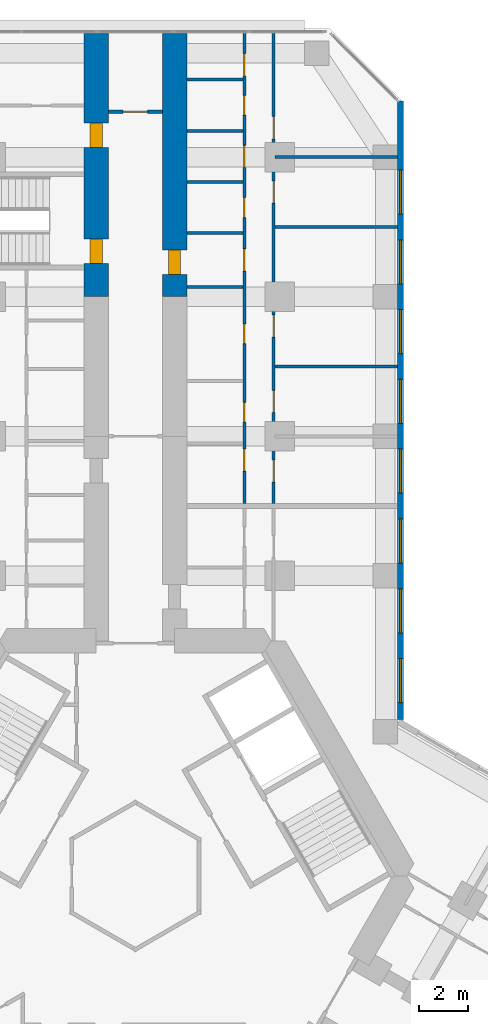
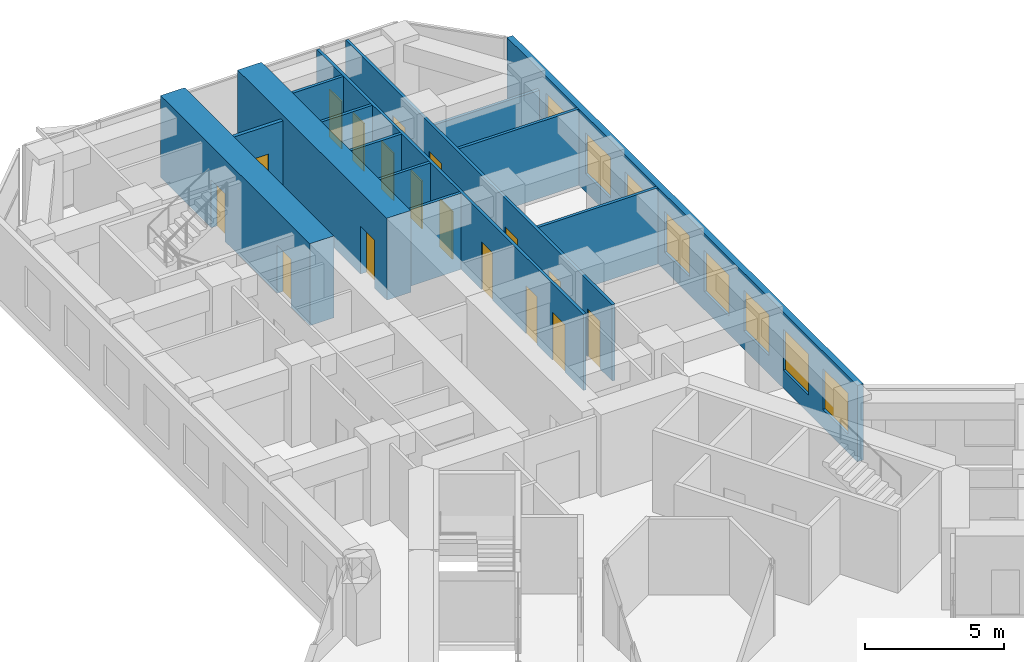
# One storey, part 19 of 21: 17 doors, 14 walls, 8 windows, 25 openings.
"""IFC4 building model written with IfcOpenShell, lengths in metres."""

from ifc_helpers import new_model, si_unit, direction, frame, frame_2d, origin, place, context, subcontext, project, spatial, rectangle, extrude, material, layer, layer_set, type_object, element, fill, save


model = new_model("IFC4")

# Units and contexts
model_context = context("Model", 3, precision=1e-05, world=origin(), true_north=direction((0.0, 1.0)))
body_context = subcontext(model_context, "Body", "Model", "MODEL_VIEW")
ifc_project = project(units=[si_unit("LENGTHUNIT", "METRE"), si_unit("AREAUNIT", "SQUARE_METRE"), si_unit("VOLUMEUNIT", "CUBIC_METRE"), si_unit("PLANEANGLEUNIT", "RADIAN"), si_unit("MASSUNIT", "GRAM", prefix="KILO")], contexts=[model_context])

# Site, building, storey
site_placement = place(None, origin())
site = spatial("IfcSite", under=ifc_project, at=site_placement, CompositionType="ELEMENT")
building_placement = place(site_placement, origin())
building = spatial("IfcBuilding", under=site, at=building_placement, Name="Kosmar Iwan School Tower", CompositionType="ELEMENT")
storey_placement = place(building_placement, frame((0.0, 0.0, 61.0)))
storey = spatial("IfcBuildingStorey", under=building, at=storey_placement, Name="L14", CompositionType="ELEMENT", Elevation=61.0)

# Wall, openings, doors
ifc_material_1 = material(Name="Concrete C50/60", Category="concrete")
ifc_layer_1 = layer(ifc_material_1, 1.0)
ifc_layer_set_1 = layer_set([ifc_layer_1], Name="Corridor buttress wall 1000")
wall_type_1 = type_object("IfcWallType", Name="Corridor buttress wall 1000", PredefinedType="SHEAR", material=ifc_layer_set_1)
wall_1_placement = place(storey_placement, frame((-1.60009765625, 23.64990234375, 0.0), z_axis=(0.0, 0.0, 1.0), x_axis=(0.0, 1.0, 0.0)))
wall_1 = element("IfcWall", 1, at=wall_1_placement, inside=storey, type_object=wall_type_1, Name="Corridor wall AL bay 3", PredefinedType="SHEAR", context=body_context, shape_type="SweptSolid", body=[
    extrude(rectangle(XDim=10.7451171875, YDim=1.0, at=frame_2d((5.37255859375, 0.0))), origin(), (0.0, 0.0, 1.0), 3.60009765625),
])
opening_1_placement = place(wall_1_placement, frame((6.10009765625, 0.0, 0.0)))
opening_1 = element("IfcOpeningElement", 2, at=opening_1_placement, cuts=wall_1, Name="Opening D1", PredefinedType="OPENING", context=body_context, shape_type="SweptSolid", body=[
    extrude(rectangle(XDim=1.0, YDim=2.10009765625, at=frame_2d((0.5, 1.050048828125))), frame((0.0, 0.511962890625, 0.0), z_axis=(0.0, -1.0, 0.0), x_axis=(1.0, 0.0, 0.0)), (0.0, 0.0, 1.0), 1.02392578125),
])
opening_2_placement = place(wall_1_placement, frame((1.35009765625, 0.0, 0.0)))
opening_2 = element("IfcOpeningElement", 3, at=opening_2_placement, cuts=wall_1, Name="Opening D6", PredefinedType="OPENING", context=body_context, shape_type="SweptSolid", body=[
    extrude(rectangle(XDim=1.0, YDim=2.10009765625, at=frame_2d((0.5, 1.050048828125))), frame((0.0, 0.511962890625, 0.0), z_axis=(0.0, -1.0, 0.0), x_axis=(1.0, 0.0, 0.0)), (0.0, 0.0, 1.0), 1.02392578125),
])
ifc_material_2 = material(Name="Timber fire door in steel frame", Category="steel")
door_type_1 = type_object("IfcDoorType", Name="Flat entrance door 1000x2100", OperationType="SINGLE_SWING_LEFT", PredefinedType="DOOR", material=ifc_material_2)
door_1_placement = place(opening_1_placement, origin())
door_1 = element("IfcDoor", 4, at=door_1_placement, inside=storey, type_object=door_type_1, Name="Flat L14-AL2 entrance door", OperationType="SINGLE_SWING_RIGHT", OverallHeight=2.10009765625, OverallWidth=1.0, PredefinedType="DOOR", context=body_context, shape_type="SweptSolid", body=[
    extrude(rectangle(XDim=1.0, YDim=2.10009765625, at=frame_2d((0.5, 1.050048828125))), frame((0.0, 0.25, 0.0), z_axis=(0.0, -1.0, 0.0), x_axis=(1.0, 0.0, 0.0)), (0.0, 0.0, 1.0), 0.5),
])
fill(opening_1, door_1)
ifc_material_3 = material(Name="Steel fire door", Category="steel")
door_type_2 = type_object("IfcDoorType", Name="Stair door 1000x2100", OperationType="SINGLE_SWING_LEFT", PredefinedType="DOOR", material=ifc_material_3)
door_2_placement = place(opening_2_placement, origin())
door_2 = element("IfcDoor", 5, at=door_2_placement, inside=storey, type_object=door_type_2, Name="Stair WS1 door L14", OperationType="SINGLE_SWING_LEFT", OverallHeight=2.10009765625, OverallWidth=1.0, PredefinedType="DOOR", context=body_context, shape_type="SweptSolid", body=[
    extrude(rectangle(XDim=1.0, YDim=2.10009765625, at=frame_2d((0.5, 1.050048828125))), frame((0.0, 0.25, 0.0), z_axis=(0.0, -1.0, 0.0), x_axis=(1.0, 0.0, 0.0)), (0.0, 0.0, 1.0), 0.5),
])
fill(opening_2, door_2)

# Wall, opening, door
wall_2_placement = place(storey_placement, frame((1.60009765625, 23.64990234375, 0.0), z_axis=(0.0, 0.0, 1.0), x_axis=(0.0, 1.0, 0.0)))
wall_2 = element("IfcWall", 6, at=wall_2_placement, inside=storey, type_object=wall_type_1, Name="Corridor wall AR bay 3", PredefinedType="SHEAR", context=body_context, shape_type="SweptSolid", body=[
    extrude(rectangle(XDim=10.7451171875, YDim=1.0, at=frame_2d((5.37255859375, 0.0))), origin(), (0.0, 0.0, 1.0), 3.60009765625),
])
opening_3_placement = place(wall_2_placement, frame((0.89990234375, 0.0, 0.0)))
opening_3 = element("IfcOpeningElement", 7, at=opening_3_placement, cuts=wall_2, Name="Opening D1", PredefinedType="OPENING", context=body_context, shape_type="SweptSolid", body=[
    extrude(rectangle(XDim=1.0, YDim=2.10009765625, at=frame_2d((0.5, 1.050048828125))), frame((0.0, 0.511962890625, 0.0), z_axis=(0.0, -1.0, 0.0), x_axis=(1.0, 0.0, 0.0)), (0.0, 0.0, 1.0), 1.02392578125),
])
door_3_placement = place(opening_3_placement, origin())
door_3 = element("IfcDoor", 8, at=door_3_placement, inside=storey, type_object=door_type_1, Name="Flat L14-AR2 entrance door", OperationType="SINGLE_SWING_LEFT", OverallHeight=2.10009765625, OverallWidth=1.0, PredefinedType="DOOR", context=body_context, shape_type="SweptSolid", body=[
    extrude(rectangle(XDim=1.0, YDim=2.10009765625, at=frame_2d((0.5, 1.050048828125))), frame((0.0, 0.25, 0.0), z_axis=(0.0, -1.0, 0.0), x_axis=(1.0, 0.0, 0.0)), (0.0, 0.0, 1.0), 0.5),
])
fill(opening_3, door_3)

ifc_material_4 = material(Name="Gypsum board on steel studs, fire-rated", Category="steel")
ifc_layer_2 = layer(ifc_material_4, 0.14990234375)
ifc_layer_set_2 = layer_set([ifc_layer_2], Name="Corridor end wall 150")
wall_type_2 = type_object("IfcWallType", Name="Corridor end wall 150", PredefinedType="PARTITIONING", material=ifc_layer_set_2)
wall_3_placement = place(storey_placement, frame((1.10009765625, 31.199951171875, 0.0), z_axis=(0.0, 0.0, 1.0), x_axis=(-1.0, 0.0, 0.0)))
wall_3 = element("IfcWall", 9, at=wall_3_placement, inside=storey, type_object=wall_type_2, Name="Partition L14-A-CE", PredefinedType="PARTITIONING", context=body_context, shape_type="SweptSolid", body=[
    extrude(rectangle(XDim=2.2001953125, YDim=0.14990234375, at=frame_2d((1.10009765625, 0.0))), origin(), (0.0, 0.0, 1.0), 3.35009765625),
])
opening_4_placement = place(wall_3_placement, frame((0.60009765625, 0.0, 0.0)))
opening_4 = element("IfcOpeningElement", 10, at=opening_4_placement, cuts=wall_3, Name="Opening D13", PredefinedType="OPENING", context=body_context, shape_type="SweptSolid", body=[
    extrude(rectangle(XDim=1.0, YDim=2.10009765625, at=frame_2d((0.5, 1.050048828125))), frame((0.0, 0.0869140625, 0.0), z_axis=(0.0, -1.0, 0.0), x_axis=(1.0, 0.0, 0.0)), (0.0, 0.0, 1.0), 0.173828125),
])
ifc_material_5 = material(Name="Timber fire door with vision panel", Category="wood")
door_type_3 = type_object("IfcDoorType", Name="Corridor end door 1000x2100", OperationType="SINGLE_SWING_LEFT", PredefinedType="DOOR", material=ifc_material_5)
door_4_placement = place(opening_4_placement, origin())
door_4 = element("IfcDoor", 11, at=door_4_placement, inside=storey, type_object=door_type_3, Name="Family study room door L14-A", OperationType="SINGLE_SWING_LEFT", OverallHeight=2.10009765625, OverallWidth=1.0, PredefinedType="DOOR", context=body_context, shape_type="SweptSolid", body=[
    extrude(rectangle(XDim=1.0, YDim=2.10009765625, at=frame_2d((0.5, 1.050048828125))), frame((0.0, 0.02490234375, 0.0), z_axis=(0.0, -1.0, 0.0), x_axis=(1.0, 0.0, 0.0)), (0.0, 0.0, 1.0), 0.050048828125),
])
fill(opening_4, door_4)

# Wall, openings, doors
ifc_material_6 = material(Name="Gypsum board on steel studs", Category="steel")
ifc_layer_3 = layer(ifc_material_6, 0.1201171875)
ifc_layer_set_3 = layer_set([ifc_layer_3], Name="Dwelling partition 120")
wall_type_3 = type_object("IfcWallType", Name="Dwelling partition 120", PredefinedType="PARTITIONING", material=ifc_layer_set_3)
wall_4_placement = place(storey_placement, frame((4.449951171875, 15.199951171875, 0.0), z_axis=(0.0, 0.0, 1.0), x_axis=(0.0, 1.0, 0.0)))
wall_4 = element("IfcWall", 12, at=wall_4_placement, inside=storey, type_object=wall_type_3, Name="Partition L14-AR2-W1", PredefinedType="PARTITIONING", context=body_context, shape_type="SweptSolid", body=[
    extrude(rectangle(XDim=19.195068359375, YDim=0.1201171875, at=frame_2d((9.59765625, 0.0))), origin(), (0.0, 0.0, 1.0), 3.35009765625),
])
opening_5_placement = place(wall_4_placement, frame((1.32861328125, 0.0, 0.0)))
opening_5 = element("IfcOpeningElement", 13, at=opening_5_placement, cuts=wall_4, Name="Opening D2", PredefinedType="OPENING", context=body_context, shape_type="SweptSolid", body=[
    extrude(rectangle(XDim=0.89990234375, YDim=2.10009765625, at=frame_2d((0.449951171875, 1.050048828125))), frame((0.0, 0.072021484375, 0.0), z_axis=(0.0, -1.0, 0.0), x_axis=(1.0, 0.0, 0.0)), (0.0, 0.0, 1.0), 0.14404296875),
])
opening_6_placement = place(wall_4_placement, frame((3.335693359375, 0.0, 0.0)))
opening_6 = element("IfcOpeningElement", 14, at=opening_6_placement, cuts=wall_4, Name="Opening D3", PredefinedType="OPENING", context=body_context, shape_type="SweptSolid", body=[
    extrude(rectangle(XDim=0.800048828125, YDim=2.10009765625, at=frame_2d((0.39990234375, 1.050048828125))), frame((0.0, 0.072021484375, 0.0), z_axis=(0.0, -1.0, 0.0), x_axis=(1.0, 0.0, 0.0)), (0.0, 0.0, 1.0), 0.14404296875),
])
opening_7_placement = place(wall_4_placement, frame((6.5322265625, 0.0, 0.0)))
opening_7 = element("IfcOpeningElement", 15, at=opening_7_placement, cuts=wall_4, Name="Opening D3", PredefinedType="OPENING", context=body_context, shape_type="SweptSolid", body=[
    extrude(rectangle(XDim=0.800048828125, YDim=2.10009765625, at=frame_2d((0.39990234375, 1.050048828125))), frame((0.0, 0.072021484375, 0.0), z_axis=(0.0, -1.0, 0.0), x_axis=(1.0, 0.0, 0.0)), (0.0, 0.0, 1.0), 0.14404296875),
])
opening_8_placement = place(wall_4_placement, frame((9.5, 0.0, 0.0)))
opening_8 = element("IfcOpeningElement", 16, at=opening_8_placement, cuts=wall_4, Name="Opening D2", PredefinedType="OPENING", context=body_context, shape_type="SweptSolid", body=[
    extrude(rectangle(XDim=0.89990234375, YDim=2.10009765625, at=frame_2d((0.449951171875, 1.050048828125))), frame((0.0, 0.072021484375, 0.0), z_axis=(0.0, -1.0, 0.0), x_axis=(1.0, 0.0, 0.0)), (0.0, 0.0, 1.0), 0.14404296875),
])
opening_9_placement = place(wall_4_placement, frame((11.69384765625, 0.0, 0.0)))
opening_9 = element("IfcOpeningElement", 17, at=opening_9_placement, cuts=wall_4, Name="Opening D3", PredefinedType="OPENING", context=body_context, shape_type="SweptSolid", body=[
    extrude(rectangle(XDim=0.800048828125, YDim=2.10009765625, at=frame_2d((0.39990234375, 1.050048828125))), frame((0.0, 0.072021484375, 0.0), z_axis=(0.0, -1.0, 0.0), x_axis=(1.0, 0.0, 0.0)), (0.0, 0.0, 1.0), 0.14404296875),
])
opening_10_placement = place(wall_4_placement, frame((13.731201171875, 0.0, 0.0)))
opening_10 = element("IfcOpeningElement", 18, at=opening_10_placement, cuts=wall_4, Name="Opening D2", PredefinedType="OPENING", context=body_context, shape_type="SweptSolid", body=[
    extrude(rectangle(XDim=0.89990234375, YDim=2.10009765625, at=frame_2d((0.449951171875, 1.050048828125))), frame((0.0, 0.072021484375, 0.0), z_axis=(0.0, -1.0, 0.0), x_axis=(1.0, 0.0, 0.0)), (0.0, 0.0, 1.0), 0.14404296875),
])
opening_11_placement = place(wall_4_placement, frame((15.86865234375, 0.0, 0.0)))
opening_11 = element("IfcOpeningElement", 19, at=opening_11_placement, cuts=wall_4, Name="Opening D3", PredefinedType="OPENING", context=body_context, shape_type="SweptSolid", body=[
    extrude(rectangle(XDim=0.800048828125, YDim=2.10009765625, at=frame_2d((0.39990234375, 1.050048828125))), frame((0.0, 0.072021484375, 0.0), z_axis=(0.0, -1.0, 0.0), x_axis=(1.0, 0.0, 0.0)), (0.0, 0.0, 1.0), 0.14404296875),
])
opening_12_placement = place(wall_4_placement, frame((17.472412109375, 0.0, 0.0)))
opening_12 = element("IfcOpeningElement", 20, at=opening_12_placement, cuts=wall_4, Name="Opening D2", PredefinedType="OPENING", context=body_context, shape_type="SweptSolid", body=[
    extrude(rectangle(XDim=0.89990234375, YDim=2.10009765625, at=frame_2d((0.449951171875, 1.050048828125))), frame((0.0, 0.072021484375, 0.0), z_axis=(0.0, -1.0, 0.0), x_axis=(1.0, 0.0, 0.0)), (0.0, 0.0, 1.0), 0.14404296875),
])
ifc_material_7 = material(Name="Timber door in timber frame", Category="wood")
door_type_4 = type_object("IfcDoorType", Name="Internal door 900x2100", OperationType="SINGLE_SWING_LEFT", PredefinedType="DOOR", material=ifc_material_7)
door_5_placement = place(opening_5_placement, origin())
door_5 = element("IfcDoor", 21, at=door_5_placement, inside=storey, type_object=door_type_4, Name="Utility room door L14-AR2-S1", OperationType="SINGLE_SWING_RIGHT", OverallHeight=2.10009765625, OverallWidth=0.89990234375, PredefinedType="DOOR", context=body_context, shape_type="SweptSolid", body=[
    extrude(rectangle(XDim=0.89990234375, YDim=2.10009765625, at=frame_2d((0.449951171875, 1.050048828125))), frame((0.0, 0.02490234375, 0.0), z_axis=(0.0, -1.0, 0.0), x_axis=(1.0, 0.0, 0.0)), (0.0, 0.0, 1.0), 0.050048828125),
])
fill(opening_5, door_5)
door_6_placement = place(opening_8_placement, origin())
door_6 = element("IfcDoor", 22, at=door_6_placement, inside=storey, type_object=door_type_4, Name="Entrance hall door L14-AR2-S4", OperationType="SINGLE_SWING_RIGHT", OverallHeight=2.10009765625, OverallWidth=0.89990234375, PredefinedType="DOOR", context=body_context, shape_type="SweptSolid", body=[
    extrude(rectangle(XDim=0.89990234375, YDim=2.10009765625, at=frame_2d((0.449951171875, 1.050048828125))), frame((0.0, 0.02490234375, 0.0), z_axis=(0.0, -1.0, 0.0), x_axis=(1.0, 0.0, 0.0)), (0.0, 0.0, 1.0), 0.050048828125),
])
fill(opening_8, door_6)
door_7_placement = place(opening_10_placement, origin())
door_7 = element("IfcDoor", 23, at=door_7_placement, inside=storey, type_object=door_type_4, Name="Pantry door L14-AR2-S6", OperationType="SINGLE_SWING_RIGHT", OverallHeight=2.10009765625, OverallWidth=0.89990234375, PredefinedType="DOOR", context=body_context, shape_type="SweptSolid", body=[
    extrude(rectangle(XDim=0.89990234375, YDim=2.10009765625, at=frame_2d((0.449951171875, 1.050048828125))), frame((0.0, 0.02490234375, 0.0), z_axis=(0.0, -1.0, 0.0), x_axis=(1.0, 0.0, 0.0)), (0.0, 0.0, 1.0), 0.050048828125),
])
fill(opening_10, door_7)
door_8_placement = place(opening_12_placement, origin())
door_8 = element("IfcDoor", 24, at=door_8_placement, inside=storey, type_object=door_type_4, Name="Dressing room door L14-AR2-S8", OperationType="SINGLE_SWING_LEFT", OverallHeight=2.10009765625, OverallWidth=0.89990234375, PredefinedType="DOOR", context=body_context, shape_type="SweptSolid", body=[
    extrude(rectangle(XDim=0.89990234375, YDim=2.10009765625, at=frame_2d((0.449951171875, 1.050048828125))), frame((0.0, 0.02490234375, 0.0), z_axis=(0.0, -1.0, 0.0), x_axis=(1.0, 0.0, 0.0)), (0.0, 0.0, 1.0), 0.050048828125),
])
fill(opening_12, door_8)
ifc_material_8 = material(Name="Timber door in timber frame", Category="wood")
door_type_5 = type_object("IfcDoorType", Name="Sanitary room door 800x2100", OperationType="SINGLE_SWING_LEFT", PredefinedType="DOOR", material=ifc_material_8)
door_9_placement = place(opening_6_placement, origin())
door_9 = element("IfcDoor", 25, at=door_9_placement, inside=storey, type_object=door_type_5, Name="WC door L14-AR2-S2", OperationType="SINGLE_SWING_RIGHT", OverallHeight=2.10009765625, OverallWidth=0.800048828125, PredefinedType="DOOR", context=body_context, shape_type="SweptSolid", body=[
    extrude(rectangle(XDim=0.800048828125, YDim=2.10009765625, at=frame_2d((0.39990234375, 1.050048828125))), frame((0.0, 0.02490234375, 0.0), z_axis=(0.0, -1.0, 0.0), x_axis=(1.0, 0.0, 0.0)), (0.0, 0.0, 1.0), 0.050048828125),
])
fill(opening_6, door_9)
door_10_placement = place(opening_7_placement, origin())
door_10 = element("IfcDoor", 26, at=door_10_placement, inside=storey, type_object=door_type_5, Name="Bathroom door L14-AR2-S3", OperationType="SINGLE_SWING_LEFT", OverallHeight=2.10009765625, OverallWidth=0.800048828125, PredefinedType="DOOR", context=body_context, shape_type="SweptSolid", body=[
    extrude(rectangle(XDim=0.800048828125, YDim=2.10009765625, at=frame_2d((0.39990234375, 1.050048828125))), frame((0.0, 0.02490234375, 0.0), z_axis=(0.0, -1.0, 0.0), x_axis=(1.0, 0.0, 0.0)), (0.0, 0.0, 1.0), 0.050048828125),
])
fill(opening_7, door_10)
door_11_placement = place(opening_9_placement, origin())
door_11 = element("IfcDoor", 27, at=door_11_placement, inside=storey, type_object=door_type_5, Name="Shower room door L14-AR2-S5", OperationType="SINGLE_SWING_LEFT", OverallHeight=2.10009765625, OverallWidth=0.800048828125, PredefinedType="DOOR", context=body_context, shape_type="SweptSolid", body=[
    extrude(rectangle(XDim=0.800048828125, YDim=2.10009765625, at=frame_2d((0.39990234375, 1.050048828125))), frame((0.0, 0.02490234375, 0.0), z_axis=(0.0, -1.0, 0.0), x_axis=(1.0, 0.0, 0.0)), (0.0, 0.0, 1.0), 0.050048828125),
])
fill(opening_9, door_11)
door_12_placement = place(opening_11_placement, origin())
door_12 = element("IfcDoor", 28, at=door_12_placement, inside=storey, type_object=door_type_5, Name="Store door L14-AR2-S7", OperationType="SINGLE_SWING_LEFT", OverallHeight=2.10009765625, OverallWidth=0.800048828125, PredefinedType="DOOR", context=body_context, shape_type="SweptSolid", body=[
    extrude(rectangle(XDim=0.800048828125, YDim=2.10009765625, at=frame_2d((0.39990234375, 1.050048828125))), frame((0.0, 0.02490234375, 0.0), z_axis=(0.0, -1.0, 0.0), x_axis=(1.0, 0.0, 0.0)), (0.0, 0.0, 1.0), 0.050048828125),
])
fill(opening_11, door_12)

wall_5_placement = place(storey_placement, frame((5.64990234375, 15.199951171875, 0.0), z_axis=(0.0, 0.0, 1.0), x_axis=(0.0, 1.0, 0.0)))
wall_5 = element("IfcWall", 29, at=wall_5_placement, inside=storey, type_object=wall_type_3, Name="Partition L14-AR2-W2", PredefinedType="PARTITIONING", context=body_context, shape_type="SweptSolid", body=[
    extrude(rectangle(XDim=19.195068359375, YDim=0.1201171875, at=frame_2d((9.59765625, 0.0))), origin(), (0.0, 0.0, 1.0), 3.35009765625),
])
opening_13_placement = place(wall_5_placement, frame((0.875, 0.0, 0.0)))
opening_13 = element("IfcOpeningElement", 30, at=opening_13_placement, cuts=wall_5, Name="Opening D2", PredefinedType="OPENING", context=body_context, shape_type="SweptSolid", body=[
    extrude(rectangle(XDim=0.89990234375, YDim=2.10009765625, at=frame_2d((0.449951171875, 1.050048828125))), frame((0.0, 0.072021484375, 0.0), z_axis=(0.0, -1.0, 0.0), x_axis=(1.0, 0.0, 0.0)), (0.0, 0.0, 1.0), 0.14404296875),
])
opening_14_placement = place(wall_5_placement, frame((3.72509765625, 0.0, 0.0)))
opening_14 = element("IfcOpeningElement", 31, at=opening_14_placement, cuts=wall_5, Name="Opening D2", PredefinedType="OPENING", context=body_context, shape_type="SweptSolid", body=[
    extrude(rectangle(XDim=0.89990234375, YDim=2.10009765625, at=frame_2d((0.449951171875, 1.050048828125))), frame((0.0, 0.072021484375, 0.0), z_axis=(0.0, -1.0, 0.0), x_axis=(1.0, 0.0, 0.0)), (0.0, 0.0, 1.0), 0.14404296875),
])
opening_15_placement = place(wall_5_placement, frame((6.800048828125, 0.0, 0.0)))
opening_15 = element("IfcOpeningElement", 32, at=opening_15_placement, cuts=wall_5, Name="Opening D2", PredefinedType="OPENING", context=body_context, shape_type="SweptSolid", body=[
    extrude(rectangle(XDim=0.89990234375, YDim=2.10009765625, at=frame_2d((0.449951171875, 1.050048828125))), frame((0.0, 0.072021484375, 0.0), z_axis=(0.0, -1.0, 0.0), x_axis=(1.0, 0.0, 0.0)), (0.0, 0.0, 1.0), 0.14404296875),
])
opening_16_placement = place(wall_5_placement, frame((12.27490234375, 0.0, 0.0)))
opening_16 = element("IfcOpeningElement", 33, at=opening_16_placement, cuts=wall_5, Name="Opening D2", PredefinedType="OPENING", context=body_context, shape_type="SweptSolid", body=[
    extrude(rectangle(XDim=0.89990234375, YDim=2.10009765625, at=frame_2d((0.449951171875, 1.050048828125))), frame((0.0, 0.072021484375, 0.0), z_axis=(0.0, -1.0, 0.0), x_axis=(1.0, 0.0, 0.0)), (0.0, 0.0, 1.0), 0.14404296875),
])
opening_17_placement = place(wall_5_placement, frame((14.89990234375, 0.0, 0.0)))
opening_17 = element("IfcOpeningElement", 34, at=opening_17_placement, cuts=wall_5, Name="Opening D2", PredefinedType="OPENING", context=body_context, shape_type="SweptSolid", body=[
    extrude(rectangle(XDim=0.89990234375, YDim=2.10009765625, at=frame_2d((0.449951171875, 1.050048828125))), frame((0.0, 0.072021484375, 0.0), z_axis=(0.0, -1.0, 0.0), x_axis=(1.0, 0.0, 0.0)), (0.0, 0.0, 1.0), 0.14404296875),
])
door_13_placement = place(opening_13_placement, origin())
door_13 = element("IfcDoor", 35, at=door_13_placement, inside=storey, type_object=door_type_4, Name="Bedroom 1 door L14-AR2-F1", OperationType="SINGLE_SWING_LEFT", OverallHeight=2.10009765625, OverallWidth=0.89990234375, PredefinedType="DOOR", context=body_context, shape_type="SweptSolid", body=[
    extrude(rectangle(XDim=0.89990234375, YDim=2.10009765625, at=frame_2d((0.449951171875, 1.050048828125))), frame((0.0, 0.02490234375, 0.0), z_axis=(0.0, -1.0, 0.0), x_axis=(1.0, 0.0, 0.0)), (0.0, 0.0, 1.0), 0.050048828125),
])
fill(opening_13, door_13)
door_14_placement = place(opening_14_placement, origin())
door_14 = element("IfcDoor", 36, at=door_14_placement, inside=storey, type_object=door_type_4, Name="Bedroom 2 door L14-AR2-F2", OperationType="SINGLE_SWING_LEFT", OverallHeight=2.10009765625, OverallWidth=0.89990234375, PredefinedType="DOOR", context=body_context, shape_type="SweptSolid", body=[
    extrude(rectangle(XDim=0.89990234375, YDim=2.10009765625, at=frame_2d((0.449951171875, 1.050048828125))), frame((0.0, 0.02490234375, 0.0), z_axis=(0.0, -1.0, 0.0), x_axis=(1.0, 0.0, 0.0)), (0.0, 0.0, 1.0), 0.050048828125),
])
fill(opening_14, door_14)
door_15_placement = place(opening_15_placement, origin())
door_15 = element("IfcDoor", 37, at=door_15_placement, inside=storey, type_object=door_type_4, Name="Living room and kitchen door L14-AR2-F3", OperationType="SINGLE_SWING_LEFT", OverallHeight=2.10009765625, OverallWidth=0.89990234375, PredefinedType="DOOR", context=body_context, shape_type="SweptSolid", body=[
    extrude(rectangle(XDim=0.89990234375, YDim=2.10009765625, at=frame_2d((0.449951171875, 1.050048828125))), frame((0.0, 0.02490234375, 0.0), z_axis=(0.0, -1.0, 0.0), x_axis=(1.0, 0.0, 0.0)), (0.0, 0.0, 1.0), 0.050048828125),
])
fill(opening_15, door_15)
door_16_placement = place(opening_16_placement, origin())
door_16 = element("IfcDoor", 38, at=door_16_placement, inside=storey, type_object=door_type_4, Name="Study door L14-AR2-F4", OperationType="SINGLE_SWING_RIGHT", OverallHeight=2.10009765625, OverallWidth=0.89990234375, PredefinedType="DOOR", context=body_context, shape_type="SweptSolid", body=[
    extrude(rectangle(XDim=0.89990234375, YDim=2.10009765625, at=frame_2d((0.449951171875, 1.050048828125))), frame((0.0, 0.02490234375, 0.0), z_axis=(0.0, -1.0, 0.0), x_axis=(1.0, 0.0, 0.0)), (0.0, 0.0, 1.0), 0.050048828125),
])
fill(opening_16, door_16)
door_17_placement = place(opening_17_placement, origin())
door_17 = element("IfcDoor", 39, at=door_17_placement, inside=storey, type_object=door_type_4, Name="Bedroom 3 door L14-AR2-F5", OperationType="SINGLE_SWING_RIGHT", OverallHeight=2.10009765625, OverallWidth=0.89990234375, PredefinedType="DOOR", context=body_context, shape_type="SweptSolid", body=[
    extrude(rectangle(XDim=0.89990234375, YDim=2.10009765625, at=frame_2d((0.449951171875, 1.050048828125))), frame((0.0, 0.02490234375, 0.0), z_axis=(0.0, -1.0, 0.0), x_axis=(1.0, 0.0, 0.0)), (0.0, 0.0, 1.0), 0.050048828125),
])
fill(opening_17, door_17)

# Walls
for number, where, z_axis, x_axis, name in (
    (40, (5.7099609375, 20.800048828125, 0.0), (0.0, 0.0, 1.0), (1.0, 0.0, 0.0), "Partition L14-AR2-X2"),
    (41, (5.7099609375, 26.5, 0.0), (0.0, 0.0, 1.0), (1.0, 0.0, 0.0), "Partition L14-AR2-X3"),
):
    element("IfcWall", number, at=place(storey_placement, frame(where, z_axis=z_axis, x_axis=x_axis)), inside=storey, type_object=wall_type_3, Name=name, PredefinedType="PARTITIONING", context=body_context, shape_type="SweptSolid", body=[
        extrude(rectangle(XDim=4.989990234375, YDim=0.1201171875, at=frame_2d((2.4951171875, 0.0))), origin(), (0.0, 0.0, 1.0), 3.35009765625),
    ])
wall_6_placement = place(storey_placement, frame((5.7099609375, 29.35009765625, 0.0), z_axis=(0.0, 0.0, 1.0), x_axis=(1.0, 0.0, 0.0)))
element("IfcWall", 42, at=wall_6_placement, inside=storey, type_object=wall_type_3, Name="Partition L14-AR2-X4", PredefinedType="PARTITIONING", context=body_context, shape_type="SweptSolid", body=[
    extrude(rectangle(XDim=4.989990234375, YDim=0.1201171875, at=frame_2d((2.4951171875, 0.0))), origin(), (0.0, 0.0, 1.0), 2.449951171875),
])
for number, where, z_axis, x_axis, name in (
    (43, (2.10009765625, 24.050048828125, 0.0), (0.0, 0.0, 1.0), (1.0, 0.0, 0.0), "Partition L14-AR2-Y3"),
    (44, (2.10009765625, 26.25, 0.0), (0.0, 0.0, 1.0), (1.0, 0.0, 0.0), "Partition L14-AR2-Y4"),
    (45, (2.10009765625, 28.33740234375, 0.0), (0.0, 0.0, 1.0), (1.0, 0.0, 0.0), "Partition L14-AR2-Y5"),
    (46, (2.10009765625, 30.425048828125, 0.0), (0.0, 0.0, 1.0), (1.0, 0.0, 0.0), "Partition L14-AR2-Y6"),
    (47, (2.10009765625, 32.512451171875, 0.0), (0.0, 0.0, 1.0), (1.0, 0.0, 0.0), "Partition L14-AR2-Y7"),
):
    element("IfcWall", number, at=place(storey_placement, frame(where, z_axis=z_axis, x_axis=x_axis)), inside=storey, type_object=wall_type_3, Name=name, PredefinedType="PARTITIONING", context=body_context, shape_type="SweptSolid", body=[
        extrude(rectangle(XDim=2.289794921875, YDim=0.1201171875, at=frame_2d((1.14501953125, 0.0))), origin(), (0.0, 0.0, 1.0), 3.35009765625),
    ])

# Wall, openings, windows
ifc_material_9 = material(Name="Black aluminium rainscreen on insulated framing", Category="aluminium")
ifc_layer_4 = layer(ifc_material_9, 0.25)
ifc_layer_set_4 = layer_set([ifc_layer_4], Name="External wall rainscreen 250")
wall_type_4 = type_object("IfcWallType", Name="External wall rainscreen 250", PredefinedType="SOLIDWALL", material=ifc_layer_set_4)
wall_7_placement = place(storey_placement, frame((10.824951171875, 6.39404296875, 0.0), z_axis=(0.0, 0.0, 1.0), x_axis=(0.0, 1.0, 0.0)))
wall_7 = element("IfcWall", 48, at=wall_7_placement, inside=storey, type_object=wall_type_4, Name="External wall AR L14", PredefinedType="SOLIDWALL", context=body_context, shape_type="SweptSolid", body=[
    extrude(rectangle(XDim=25.2412109375, YDim=0.25, at=frame_2d((12.62060546875, 0.0))), origin(), (0.0, 0.0, 1.0), 3.35009765625),
])
opening_18_placement = place(wall_7_placement, frame((0.680908203125, 0.0, 0.800048828125)))
opening_18 = element("IfcOpeningElement", 49, at=opening_18_placement, cuts=wall_7, Name="Opening W1", PredefinedType="OPENING", context=body_context, shape_type="SweptSolid", body=[
    extrude(rectangle(XDim=1.800048828125, YDim=1.800048828125, at=frame_2d((0.89990234375, 0.89990234375))), frame((0.0, 0.136962890625, 0.0), z_axis=(0.0, -1.0, 0.0), x_axis=(1.0, 0.0, 0.0)), (0.0, 0.0, 1.0), 0.27392578125),
])
opening_19_placement = place(wall_7_placement, frame((3.53076171875, 0.0, 0.800048828125)))
opening_19 = element("IfcOpeningElement", 50, at=opening_19_placement, cuts=wall_7, Name="Opening W1", PredefinedType="OPENING", context=body_context, shape_type="SweptSolid", body=[
    extrude(rectangle(XDim=1.800048828125, YDim=1.800048828125, at=frame_2d((0.89990234375, 0.89990234375))), frame((0.0, 0.136962890625, 0.0), z_axis=(0.0, -1.0, 0.0), x_axis=(1.0, 0.0, 0.0)), (0.0, 0.0, 1.0), 0.27392578125),
])
opening_20_placement = place(wall_7_placement, frame((6.380859375, 0.0, 0.800048828125)))
opening_20 = element("IfcOpeningElement", 51, at=opening_20_placement, cuts=wall_7, Name="Opening W1", PredefinedType="OPENING", context=body_context, shape_type="SweptSolid", body=[
    extrude(rectangle(XDim=1.800048828125, YDim=1.800048828125, at=frame_2d((0.89990234375, 0.89990234375))), frame((0.0, 0.136962890625, 0.0), z_axis=(0.0, -1.0, 0.0), x_axis=(1.0, 0.0, 0.0)), (0.0, 0.0, 1.0), 0.27392578125),
])
opening_21_placement = place(wall_7_placement, frame((9.23095703125, 0.0, 0.800048828125)))
opening_21 = element("IfcOpeningElement", 52, at=opening_21_placement, cuts=wall_7, Name="Opening W1", PredefinedType="OPENING", context=body_context, shape_type="SweptSolid", body=[
    extrude(rectangle(XDim=1.800048828125, YDim=1.800048828125, at=frame_2d((0.89990234375, 0.89990234375))), frame((0.0, 0.136962890625, 0.0), z_axis=(0.0, -1.0, 0.0), x_axis=(1.0, 0.0, 0.0)), (0.0, 0.0, 1.0), 0.27392578125),
])
opening_22_placement = place(wall_7_placement, frame((12.080810546875, 0.0, 0.800048828125)))
opening_22 = element("IfcOpeningElement", 53, at=opening_22_placement, cuts=wall_7, Name="Opening W1", PredefinedType="OPENING", context=body_context, shape_type="SweptSolid", body=[
    extrude(rectangle(XDim=1.800048828125, YDim=1.800048828125, at=frame_2d((0.89990234375, 0.89990234375))), frame((0.0, 0.136962890625, 0.0), z_axis=(0.0, -1.0, 0.0), x_axis=(1.0, 0.0, 0.0)), (0.0, 0.0, 1.0), 0.27392578125),
])
opening_23_placement = place(wall_7_placement, frame((14.930908203125, 0.0, 0.800048828125)))
opening_23 = element("IfcOpeningElement", 54, at=opening_23_placement, cuts=wall_7, Name="Opening W1", PredefinedType="OPENING", context=body_context, shape_type="SweptSolid", body=[
    extrude(rectangle(XDim=1.800048828125, YDim=1.800048828125, at=frame_2d((0.89990234375, 0.89990234375))), frame((0.0, 0.136962890625, 0.0), z_axis=(0.0, -1.0, 0.0), x_axis=(1.0, 0.0, 0.0)), (0.0, 0.0, 1.0), 0.27392578125),
])
opening_24_placement = place(wall_7_placement, frame((17.78076171875, 0.0, 0.800048828125)))
opening_24 = element("IfcOpeningElement", 55, at=opening_24_placement, cuts=wall_7, Name="Opening W1", PredefinedType="OPENING", context=body_context, shape_type="SweptSolid", body=[
    extrude(rectangle(XDim=1.800048828125, YDim=1.800048828125, at=frame_2d((0.89990234375, 0.89990234375))), frame((0.0, 0.136962890625, 0.0), z_axis=(0.0, -1.0, 0.0), x_axis=(1.0, 0.0, 0.0)), (0.0, 0.0, 1.0), 0.27392578125),
])
opening_25_placement = place(wall_7_placement, frame((20.630859375, 0.0, 0.800048828125)))
opening_25 = element("IfcOpeningElement", 56, at=opening_25_placement, cuts=wall_7, Name="Opening W1", PredefinedType="OPENING", context=body_context, shape_type="SweptSolid", body=[
    extrude(rectangle(XDim=1.800048828125, YDim=1.800048828125, at=frame_2d((0.89990234375, 0.89990234375))), frame((0.0, 0.136962890625, 0.0), z_axis=(0.0, -1.0, 0.0), x_axis=(1.0, 0.0, 0.0)), (0.0, 0.0, 1.0), 0.27392578125),
])
ifc_material_10 = material(Name="Black aluminium frame with dark triple glazing", Category="aluminium")
window_type = type_object("IfcWindowType", Name="Window 1800x1800", PartitioningType="SINGLE_PANEL", PredefinedType="WINDOW", material=ifc_material_10)
window_1_placement = place(opening_18_placement, origin())
window_1 = element("IfcWindow", 57, at=window_1_placement, inside=storey, type_object=window_type, Name="Window AR L14 -1", OverallHeight=1.800048828125, OverallWidth=1.800048828125, PartitioningType="SINGLE_PANEL", PredefinedType="WINDOW", context=body_context, shape_type="SweptSolid", body=[
    extrude(rectangle(XDim=1.800048828125, YDim=1.800048828125, at=frame_2d((0.89990234375, 0.89990234375))), frame((0.0, 0.030029296875, 0.0), z_axis=(0.0, -1.0, 0.0), x_axis=(1.0, 0.0, 0.0)), (0.0, 0.0, 1.0), 0.06005859375),
])
fill(opening_18, window_1)
window_2_placement = place(opening_19_placement, origin())
window_2 = element("IfcWindow", 58, at=window_2_placement, inside=storey, type_object=window_type, Name="Window AR L14 0", OverallHeight=1.800048828125, OverallWidth=1.800048828125, PartitioningType="SINGLE_PANEL", PredefinedType="WINDOW", context=body_context, shape_type="SweptSolid", body=[
    extrude(rectangle(XDim=1.800048828125, YDim=1.800048828125, at=frame_2d((0.89990234375, 0.89990234375))), frame((0.0, 0.030029296875, 0.0), z_axis=(0.0, -1.0, 0.0), x_axis=(1.0, 0.0, 0.0)), (0.0, 0.0, 1.0), 0.06005859375),
])
fill(opening_19, window_2)
window_3_placement = place(opening_20_placement, origin())
window_3 = element("IfcWindow", 59, at=window_3_placement, inside=storey, type_object=window_type, Name="Window AR L14 1", OverallHeight=1.800048828125, OverallWidth=1.800048828125, PartitioningType="SINGLE_PANEL", PredefinedType="WINDOW", context=body_context, shape_type="SweptSolid", body=[
    extrude(rectangle(XDim=1.800048828125, YDim=1.800048828125, at=frame_2d((0.89990234375, 0.89990234375))), frame((0.0, 0.030029296875, 0.0), z_axis=(0.0, -1.0, 0.0), x_axis=(1.0, 0.0, 0.0)), (0.0, 0.0, 1.0), 0.06005859375),
])
fill(opening_20, window_3)
window_4_placement = place(opening_21_placement, origin())
window_4 = element("IfcWindow", 60, at=window_4_placement, inside=storey, type_object=window_type, Name="Window AR L14 2", OverallHeight=1.800048828125, OverallWidth=1.800048828125, PartitioningType="SINGLE_PANEL", PredefinedType="WINDOW", context=body_context, shape_type="SweptSolid", body=[
    extrude(rectangle(XDim=1.800048828125, YDim=1.800048828125, at=frame_2d((0.89990234375, 0.89990234375))), frame((0.0, 0.030029296875, 0.0), z_axis=(0.0, -1.0, 0.0), x_axis=(1.0, 0.0, 0.0)), (0.0, 0.0, 1.0), 0.06005859375),
])
fill(opening_21, window_4)
window_5_placement = place(opening_22_placement, origin())
window_5 = element("IfcWindow", 61, at=window_5_placement, inside=storey, type_object=window_type, Name="Window AR L14 3", OverallHeight=1.800048828125, OverallWidth=1.800048828125, PartitioningType="SINGLE_PANEL", PredefinedType="WINDOW", context=body_context, shape_type="SweptSolid", body=[
    extrude(rectangle(XDim=1.800048828125, YDim=1.800048828125, at=frame_2d((0.89990234375, 0.89990234375))), frame((0.0, 0.030029296875, 0.0), z_axis=(0.0, -1.0, 0.0), x_axis=(1.0, 0.0, 0.0)), (0.0, 0.0, 1.0), 0.06005859375),
])
fill(opening_22, window_5)
window_6_placement = place(opening_23_placement, origin())
window_6 = element("IfcWindow", 62, at=window_6_placement, inside=storey, type_object=window_type, Name="Window AR L14 4", OverallHeight=1.800048828125, OverallWidth=1.800048828125, PartitioningType="SINGLE_PANEL", PredefinedType="WINDOW", context=body_context, shape_type="SweptSolid", body=[
    extrude(rectangle(XDim=1.800048828125, YDim=1.800048828125, at=frame_2d((0.89990234375, 0.89990234375))), frame((0.0, 0.030029296875, 0.0), z_axis=(0.0, -1.0, 0.0), x_axis=(1.0, 0.0, 0.0)), (0.0, 0.0, 1.0), 0.06005859375),
])
fill(opening_23, window_6)
window_7_placement = place(opening_24_placement, origin())
window_7 = element("IfcWindow", 63, at=window_7_placement, inside=storey, type_object=window_type, Name="Window AR L14 5", OverallHeight=1.800048828125, OverallWidth=1.800048828125, PartitioningType="SINGLE_PANEL", PredefinedType="WINDOW", context=body_context, shape_type="SweptSolid", body=[
    extrude(rectangle(XDim=1.800048828125, YDim=1.800048828125, at=frame_2d((0.89990234375, 0.89990234375))), frame((0.0, 0.030029296875, 0.0), z_axis=(0.0, -1.0, 0.0), x_axis=(1.0, 0.0, 0.0)), (0.0, 0.0, 1.0), 0.06005859375),
])
fill(opening_24, window_7)
window_8_placement = place(opening_25_placement, origin())
window_8 = element("IfcWindow", 64, at=window_8_placement, inside=storey, type_object=window_type, Name="Window AR L14 6", OverallHeight=1.800048828125, OverallWidth=1.800048828125, PartitioningType="SINGLE_PANEL", PredefinedType="WINDOW", context=body_context, shape_type="SweptSolid", body=[
    extrude(rectangle(XDim=1.800048828125, YDim=1.800048828125, at=frame_2d((0.89990234375, 0.89990234375))), frame((0.0, 0.030029296875, 0.0), z_axis=(0.0, -1.0, 0.0), x_axis=(1.0, 0.0, 0.0)), (0.0, 0.0, 1.0), 0.06005859375),
])
fill(opening_25, window_8)

save(model, "model.ifc")
